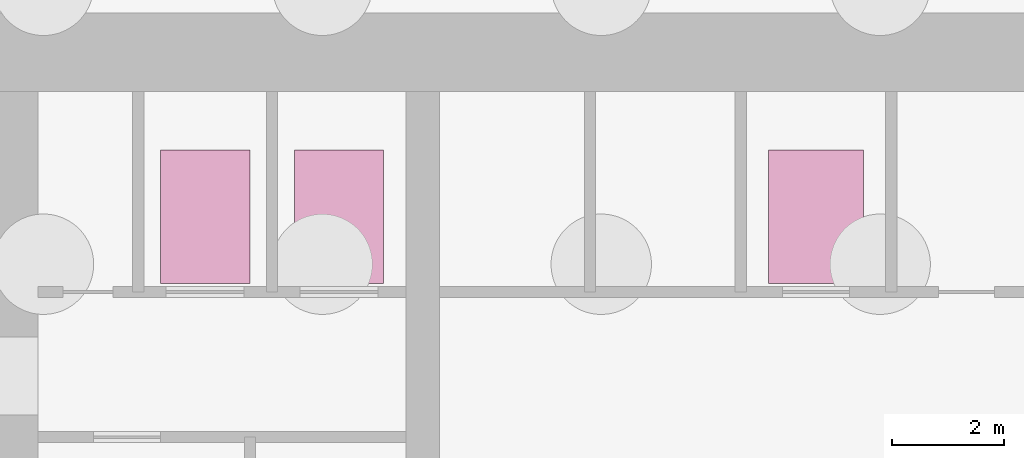
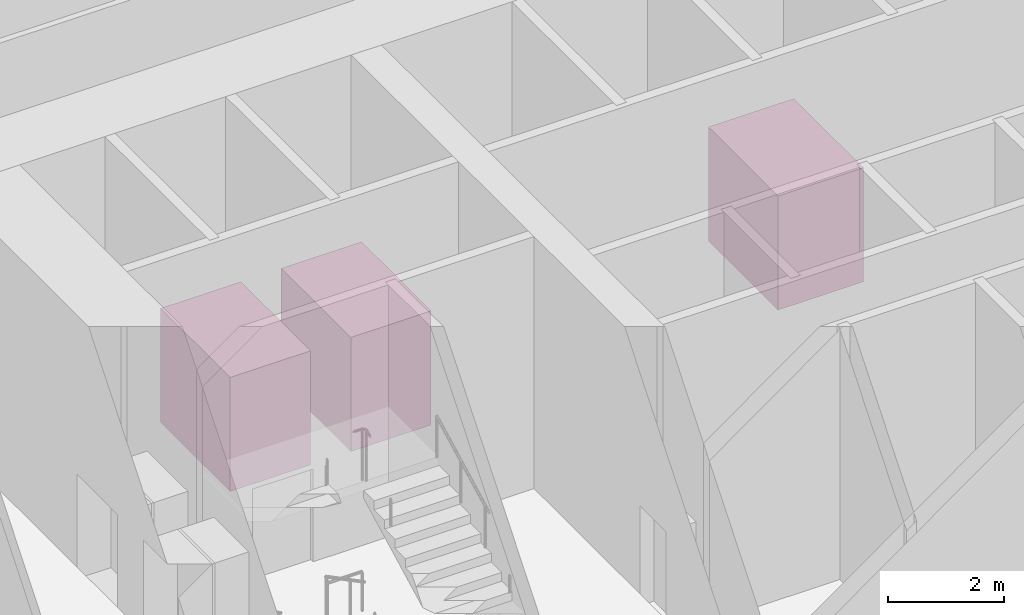
# One storey, part 6 of 6: 3 transport elements.
"""IFC4 building model written with IfcOpenShell, lengths in metres."""

from ifc_helpers import new_model, si_unit, direction, frame, origin, origin_2d, place, context, subcontext, project, spatial, rectangle, extrude, material, type_object, element, save


model = new_model("IFC4")

# Units and contexts
model_context = context("Model", 3, precision=1e-05, world=origin(), true_north=direction((0.0, 1.0)))
body_context = subcontext(model_context, "Body", "Model", "MODEL_VIEW")
ifc_project = project(units=[si_unit("LENGTHUNIT", "METRE"), si_unit("AREAUNIT", "SQUARE_METRE"), si_unit("VOLUMEUNIT", "CUBIC_METRE"), si_unit("PLANEANGLEUNIT", "RADIAN"), si_unit("MASSUNIT", "GRAM", prefix="KILO")], contexts=[model_context])

# Site, building, storey
site_placement = place(None, origin())
site = spatial("IfcSite", under=ifc_project, at=site_placement, CompositionType="ELEMENT")
building_placement = place(site_placement, origin())
building = spatial("IfcBuilding", under=site, at=building_placement, Name="Verdant Reach Tower", CompositionType="ELEMENT")
storey_placement = place(building_placement, frame((0.0, 0.0, -6.0)))
storey = spatial("IfcBuildingStorey", under=building, at=storey_placement, Name="B1", CompositionType="ELEMENT", Elevation=-6.0)

# Transport elements
ifc_material = material(Name="Steel", Category="steel")
transport_element_type_1 = type_object("IfcTransportElementType", Name="CO-LIFT-FIREFIGHTING", PredefinedType="ELEVATOR", material=ifc_material)
for number, where, z_axis, x_axis, name in (
    (1, (-7.199951171875, 35.35009765625, 0.0), (0.0, 0.0, 1.0), (1.0, 0.0, 0.0), "Firefighting lift F1"),
    (2, (-9.60009765625, 35.35009765625, 0.0), (0.0, 0.0, 1.0), (1.0, 0.0, 0.0), "Firefighting lift F2"),
):
    element("IfcTransportElement", number, at=place(storey_placement, frame(where, z_axis=z_axis, x_axis=x_axis)), inside=storey, type_object=transport_element_type_1, Name=name, PredefinedType="ELEVATOR", context=body_context, shape_type="SweptSolid", body=[
        extrude(rectangle(XDim=1.60009765625, YDim=2.39990234375, at=origin_2d()), origin(), (0.0, 0.0, 1.0), 2.39990234375),
    ])
transport_element_type_2 = type_object("IfcTransportElementType", Name="CO-LIFT-GOODS", PredefinedType="ELEVATOR", material=ifc_material)
transport_element_placement = place(storey_placement, frame((1.35009765625, 35.35009765625, 0.0), z_axis=(0.0, 0.0, 1.0), x_axis=(1.0, 0.0, 0.0)))
element("IfcTransportElement", 3, at=transport_element_placement, inside=storey, type_object=transport_element_type_2, Name="Goods lift SL1", PredefinedType="ELEVATOR", context=body_context, shape_type="SweptSolid", body=[
    extrude(rectangle(XDim=1.699951171875, YDim=2.39990234375, at=origin_2d()), origin(), (0.0, 0.0, 1.0), 2.39990234375),
])

save(model, "model.ifc")
